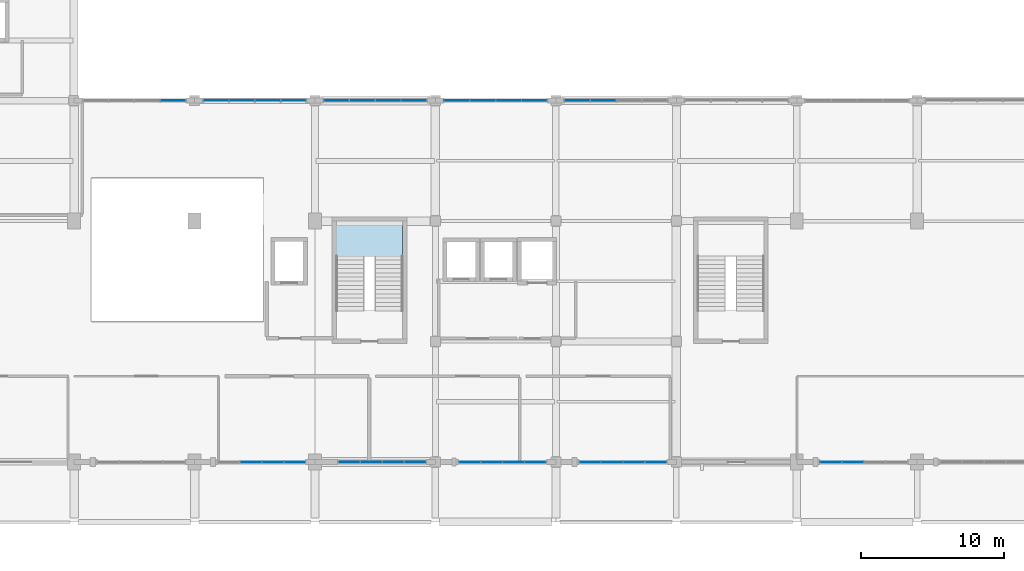
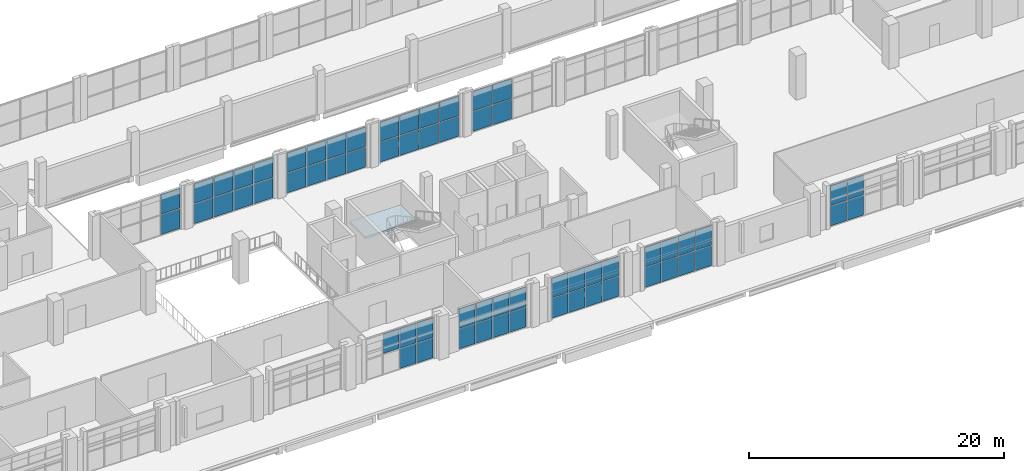
# One storey, part 41 of 59: 63 plates, 1 slab, 11 elements without a shape of their own.
"""IFC4 building model written with IfcOpenShell, lengths in metres."""

from ifc_helpers import new_model, si_unit, derived_unit, direction, frame, origin, origin_2d, place, context, subcontext, project, spatial, polyline, rectangle, outline, extrude, material, layer, layer_set, type_object, element, aggregate, save


model = new_model("IFC4")

# Units and contexts
model_context = context("Model", 3, precision=1e-05, world=origin(), true_north=direction((0.0, 1.0)))
body_context = subcontext(model_context, "Body", "Model", "MODEL_VIEW")
ifc_project = project(units=[si_unit("LENGTHUNIT", "METRE"), si_unit("AREAUNIT", "SQUARE_METRE"), si_unit("VOLUMEUNIT", "CUBIC_METRE"), si_unit("PLANEANGLEUNIT", "RADIAN"), si_unit("MASSUNIT", "GRAM", prefix="KILO"), derived_unit("THERMALTRANSMITTANCEUNIT", [(si_unit("POWERUNIT", "WATT"), 1), (si_unit("LENGTHUNIT", "METRE"), -2), (si_unit("THERMODYNAMICTEMPERATUREUNIT", "KELVIN"), -1)])], contexts=[model_context])

# Site, building, storey
site_placement = place(None, origin())
site = spatial("IfcSite", under=ifc_project, at=site_placement, CompositionType="ELEMENT")
building_placement = place(site_placement, origin())
building = spatial("IfcBuilding", under=site, at=building_placement, Name="Barrovel Congress Hotel", CompositionType="ELEMENT")
storey_placement = place(building_placement, frame((0.0, 0.0, 9.89990234375)))
storey = spatial("IfcBuildingStorey", under=building, at=storey_placement, Name="L02", CompositionType="ELEMENT", Elevation=9.89990234375)

# Curtain wall, plates
ifc_material_1 = material(Name="Anodised Aluminium Alloy 6063-T6", Category="aluminium")
curtain_wall_type = type_object("IfcCurtainWallType", Name="CW-ST-7200x3600", PredefinedType="USERDEFINED", material=ifc_material_1)
curtain_wall_1_placement = place(storey_placement, origin())
curtain_wall_1 = element("IfcCurtainWall", 1, at=curtain_wall_1_placement, inside=storey, type_object=curtain_wall_type, Name="CW:L02:S:08", ObjectType="STICK CURTAIN WALL", PredefinedType="USERDEFINED")
ifc_material_2 = material(Name="Double Low-E Insulated Glazing", Category="glass")
ifc_layer_1 = layer(ifc_material_2, 0.028076171875)
ifc_layer_set_1 = layer_set([ifc_layer_1], Name="Double Low-E Insulated Glazing")
plate_type_1 = type_object("IfcPlateType", Name="CWP-28", PredefinedType="CURTAIN_PANEL", material=ifc_layer_set_1)
plate_1_placement = place(storey_placement, frame((71.114990234375, 4.199951171875, 1.990234375), z_axis=(0.0, 0.0, 1.0), x_axis=(1.0, 0.0, 0.0)))
plate_1 = element("IfcPlate", 2, at=plate_1_placement, type_object=plate_type_1, Name="CW:L02:S:08:P1-1", PredefinedType="CURTAIN_PANEL", context=body_context, shape_type="SweptSolid", body=[
    extrude(rectangle(XDim=1.469970703125, YDim=0.028076171875, at=origin_2d()), origin(), (0.0, 0.0, 1.0), 1.89990234375),
])
plate_2_placement = place(storey_placement, frame((72.64501953125, 4.199951171875, 0.030029296875), z_axis=(0.0, 0.0, 1.0), x_axis=(1.0, 0.0, 0.0)))
plate_2 = element("IfcPlate", 3, at=plate_2_placement, type_object=plate_type_1, Name="CW:L02:S:08:P2-0", PredefinedType="CURTAIN_PANEL", context=body_context, shape_type="SweptSolid", body=[
    extrude(rectangle(XDim=1.469970703125, YDim=0.028076171875, at=origin_2d()), origin(), (0.0, 0.0, 1.0), 1.89990234375),
])
plate_3_placement = place(storey_placement, frame((72.64501953125, 4.199951171875, 1.990234375), z_axis=(0.0, 0.0, 1.0), x_axis=(1.0, 0.0, 0.0)))
plate_3 = element("IfcPlate", 4, at=plate_3_placement, type_object=plate_type_1, Name="CW:L02:S:08:P2-1", PredefinedType="CURTAIN_PANEL", context=body_context, shape_type="SweptSolid", body=[
    extrude(rectangle(XDim=1.469970703125, YDim=0.028076171875, at=origin_2d()), origin(), (0.0, 0.0, 1.0), 1.89990234375),
])
plate_4_placement = place(storey_placement, frame((74.175048828125, 4.199951171875, 0.030029296875), z_axis=(0.0, 0.0, 1.0), x_axis=(1.0, 0.0, 0.0)))
plate_4 = element("IfcPlate", 5, at=plate_4_placement, type_object=plate_type_1, Name="CW:L02:S:08:P3-0", PredefinedType="CURTAIN_PANEL", context=body_context, shape_type="SweptSolid", body=[
    extrude(rectangle(XDim=1.469970703125, YDim=0.028076171875, at=origin_2d()), origin(), (0.0, 0.0, 1.0), 1.89990234375),
])
plate_5_placement = place(storey_placement, frame((74.175048828125, 4.199951171875, 1.990234375), z_axis=(0.0, 0.0, 1.0), x_axis=(1.0, 0.0, 0.0)))
plate_5 = element("IfcPlate", 6, at=plate_5_placement, type_object=plate_type_1, Name="CW:L02:S:08:P3-1", PredefinedType="CURTAIN_PANEL", context=body_context, shape_type="SweptSolid", body=[
    extrude(rectangle(XDim=1.469970703125, YDim=0.028076171875, at=origin_2d()), origin(), (0.0, 0.0, 1.0), 1.89990234375),
])
aggregate(curtain_wall_1, [plate_1, plate_2, plate_3, plate_4, plate_5])

curtain_wall_2_placement = place(storey_placement, origin())
curtain_wall_2 = element("IfcCurtainWall", 7, at=curtain_wall_2_placement, inside=storey, type_object=curtain_wall_type, Name="CW:L02:S:10", ObjectType="STICK CURTAIN WALL", PredefinedType="USERDEFINED")
plate_6_placement = place(storey_placement, frame((86.385009765625, 4.199951171875, 0.030029296875), z_axis=(0.0, 0.0, 1.0), x_axis=(1.0, 0.0, 0.0)))
plate_6 = element("IfcPlate", 8, at=plate_6_placement, type_object=plate_type_1, Name="CW:L02:S:10:P0-0", PredefinedType="CURTAIN_PANEL", context=body_context, shape_type="SweptSolid", body=[
    extrude(rectangle(XDim=1.469970703125, YDim=0.028076171875, at=origin_2d()), origin(), (0.0, 0.0, 1.0), 1.89990234375),
])
plate_7_placement = place(storey_placement, frame((86.385009765625, 4.199951171875, 1.990234375), z_axis=(0.0, 0.0, 1.0), x_axis=(1.0, 0.0, 0.0)))
plate_7 = element("IfcPlate", 9, at=plate_7_placement, type_object=plate_type_1, Name="CW:L02:S:10:P0-1", PredefinedType="CURTAIN_PANEL", context=body_context, shape_type="SweptSolid", body=[
    extrude(rectangle(XDim=1.469970703125, YDim=0.028076171875, at=origin_2d()), origin(), (0.0, 0.0, 1.0), 1.89990234375),
])
plate_8_placement = place(storey_placement, frame((87.9150390625, 4.199951171875, 0.030029296875), z_axis=(0.0, 0.0, 1.0), x_axis=(1.0, 0.0, 0.0)))
plate_8 = element("IfcPlate", 10, at=plate_8_placement, type_object=plate_type_1, Name="CW:L02:S:10:P1-0", PredefinedType="CURTAIN_PANEL", context=body_context, shape_type="SweptSolid", body=[
    extrude(rectangle(XDim=1.469970703125, YDim=0.028076171875, at=origin_2d()), origin(), (0.0, 0.0, 1.0), 1.89990234375),
])
plate_9_placement = place(storey_placement, frame((87.9150390625, 4.199951171875, 1.990234375), z_axis=(0.0, 0.0, 1.0), x_axis=(1.0, 0.0, 0.0)))
plate_9 = element("IfcPlate", 11, at=plate_9_placement, type_object=plate_type_1, Name="CW:L02:S:10:P1-1", PredefinedType="CURTAIN_PANEL", context=body_context, shape_type="SweptSolid", body=[
    extrude(rectangle(XDim=1.469970703125, YDim=0.028076171875, at=origin_2d()), origin(), (0.0, 0.0, 1.0), 1.89990234375),
])
plate_10_placement = place(storey_placement, frame((89.445068359375, 4.199951171875, 0.030029296875), z_axis=(0.0, 0.0, 1.0), x_axis=(1.0, 0.0, 0.0)))
plate_10 = element("IfcPlate", 12, at=plate_10_placement, type_object=plate_type_1, Name="CW:L02:S:10:P2-0", PredefinedType="CURTAIN_PANEL", context=body_context, shape_type="SweptSolid", body=[
    extrude(rectangle(XDim=1.469970703125, YDim=0.028076171875, at=origin_2d()), origin(), (0.0, 0.0, 1.0), 1.89990234375),
])
plate_11_placement = place(storey_placement, frame((89.445068359375, 4.199951171875, 1.990234375), z_axis=(0.0, 0.0, 1.0), x_axis=(1.0, 0.0, 0.0)))
plate_11 = element("IfcPlate", 13, at=plate_11_placement, type_object=plate_type_1, Name="CW:L02:S:10:P2-1", PredefinedType="CURTAIN_PANEL", context=body_context, shape_type="SweptSolid", body=[
    extrude(rectangle(XDim=1.469970703125, YDim=0.028076171875, at=origin_2d()), origin(), (0.0, 0.0, 1.0), 1.89990234375),
])
plate_12_placement = place(storey_placement, frame((90.97509765625, 4.199951171875, 0.030029296875), z_axis=(0.0, 0.0, 1.0), x_axis=(1.0, 0.0, 0.0)))
plate_12 = element("IfcPlate", 14, at=plate_12_placement, type_object=plate_type_1, Name="CW:L02:S:10:P3-0", PredefinedType="CURTAIN_PANEL", context=body_context, shape_type="SweptSolid", body=[
    extrude(rectangle(XDim=1.469970703125, YDim=0.028076171875, at=origin_2d()), origin(), (0.0, 0.0, 1.0), 1.89990234375),
])
plate_13_placement = place(storey_placement, frame((90.97509765625, 4.199951171875, 1.990234375), z_axis=(0.0, 0.0, 1.0), x_axis=(1.0, 0.0, 0.0)))
plate_13 = element("IfcPlate", 15, at=plate_13_placement, type_object=plate_type_1, Name="CW:L02:S:10:P3-1", PredefinedType="CURTAIN_PANEL", context=body_context, shape_type="SweptSolid", body=[
    extrude(rectangle(XDim=1.469970703125, YDim=0.028076171875, at=origin_2d()), origin(), (0.0, 0.0, 1.0), 1.89990234375),
])
aggregate(curtain_wall_2, [plate_6, plate_7, plate_8, plate_9, plate_10, plate_11, plate_12, plate_13])

curtain_wall_3_placement = place(storey_placement, origin())
curtain_wall_3 = element("IfcCurtainWall", 16, at=curtain_wall_3_placement, inside=storey, type_object=curtain_wall_type, Name="CW:L02:S:13", ObjectType="STICK CURTAIN WALL", PredefinedType="USERDEFINED")
plate_14_placement = place(storey_placement, frame((111.5849609375, 4.199951171875, 0.030029296875), z_axis=(0.0, 0.0, 1.0), x_axis=(1.0, 0.0, 0.0)))
plate_14 = element("IfcPlate", 17, at=plate_14_placement, type_object=plate_type_1, Name="CW:L02:S:13:P0-0", PredefinedType="CURTAIN_PANEL", context=body_context, shape_type="SweptSolid", body=[
    extrude(rectangle(XDim=1.469970703125, YDim=0.028076171875, at=origin_2d()), origin(), (0.0, 0.0, 1.0), 1.89990234375),
])
plate_15_placement = place(storey_placement, frame((111.5849609375, 4.199951171875, 1.990234375), z_axis=(0.0, 0.0, 1.0), x_axis=(1.0, 0.0, 0.0)))
plate_15 = element("IfcPlate", 18, at=plate_15_placement, type_object=plate_type_1, Name="CW:L02:S:13:P0-1", PredefinedType="CURTAIN_PANEL", context=body_context, shape_type="SweptSolid", body=[
    extrude(rectangle(XDim=1.469970703125, YDim=0.028076171875, at=origin_2d()), origin(), (0.0, 0.0, 1.0), 1.89990234375),
])
plate_16_placement = place(storey_placement, frame((113.114990234375, 4.199951171875, 0.030029296875), z_axis=(0.0, 0.0, 1.0), x_axis=(1.0, 0.0, 0.0)))
plate_16 = element("IfcPlate", 19, at=plate_16_placement, type_object=plate_type_1, Name="CW:L02:S:13:P1-0", PredefinedType="CURTAIN_PANEL", context=body_context, shape_type="SweptSolid", body=[
    extrude(rectangle(XDim=1.469970703125, YDim=0.028076171875, at=origin_2d()), origin(), (0.0, 0.0, 1.0), 1.89990234375),
])
plate_17_placement = place(storey_placement, frame((113.114990234375, 4.199951171875, 1.990234375), z_axis=(0.0, 0.0, 1.0), x_axis=(1.0, 0.0, 0.0)))
plate_17 = element("IfcPlate", 20, at=plate_17_placement, type_object=plate_type_1, Name="CW:L02:S:13:P1-1", PredefinedType="CURTAIN_PANEL", context=body_context, shape_type="SweptSolid", body=[
    extrude(rectangle(XDim=1.469970703125, YDim=0.028076171875, at=origin_2d()), origin(), (0.0, 0.0, 1.0), 1.89990234375),
])
aggregate(curtain_wall_3, [plate_14, plate_15, plate_16, plate_17])

curtain_wall_4_placement = place(storey_placement, origin())
curtain_wall_4 = element("IfcCurtainWall", 21, at=curtain_wall_4_placement, inside=storey, type_object=curtain_wall_type, Name="CW:L02:CS:10", ObjectType="STICK CURTAIN WALL", PredefinedType="USERDEFINED")
plate_18_placement = place(storey_placement, frame((90.89990234375, 29.39990234375, 0.030029296875), z_axis=(0.0, 0.0, 1.0), x_axis=(-1.0, 0.0, 0.0)))
plate_18 = element("IfcPlate", 22, at=plate_18_placement, type_object=plate_type_1, Name="CW:L02:CS:10:P0-0", PredefinedType="CURTAIN_PANEL", context=body_context, shape_type="SweptSolid", body=[
    extrude(rectangle(XDim=1.739990234375, YDim=0.028076171875, at=origin_2d()), origin(), (0.0, 0.0, 1.0), 1.89990234375),
])
plate_19_placement = place(storey_placement, frame((90.89990234375, 29.39990234375, 1.990234375), z_axis=(0.0, 0.0, 1.0), x_axis=(-1.0, 0.0, 0.0)))
plate_19 = element("IfcPlate", 23, at=plate_19_placement, type_object=plate_type_1, Name="CW:L02:CS:10:P0-1", PredefinedType="CURTAIN_PANEL", context=body_context, shape_type="SweptSolid", body=[
    extrude(rectangle(XDim=1.739990234375, YDim=0.028076171875, at=origin_2d()), origin(), (0.0, 0.0, 1.0), 1.89990234375),
])
plate_20_placement = place(storey_placement, frame((89.10009765625, 29.39990234375, 0.030029296875), z_axis=(0.0, 0.0, 1.0), x_axis=(-1.0, 0.0, 0.0)))
plate_20 = element("IfcPlate", 24, at=plate_20_placement, type_object=plate_type_1, Name="CW:L02:CS:10:P1-0", PredefinedType="CURTAIN_PANEL", context=body_context, shape_type="SweptSolid", body=[
    extrude(rectangle(XDim=1.739990234375, YDim=0.028076171875, at=origin_2d()), origin(), (0.0, 0.0, 1.0), 1.89990234375),
])
plate_21_placement = place(storey_placement, frame((89.10009765625, 29.39990234375, 1.990234375), z_axis=(0.0, 0.0, 1.0), x_axis=(-1.0, 0.0, 0.0)))
plate_21 = element("IfcPlate", 25, at=plate_21_placement, type_object=plate_type_1, Name="CW:L02:CS:10:P1-1", PredefinedType="CURTAIN_PANEL", context=body_context, shape_type="SweptSolid", body=[
    extrude(rectangle(XDim=1.739990234375, YDim=0.028076171875, at=origin_2d()), origin(), (0.0, 0.0, 1.0), 1.89990234375),
])
plate_22_placement = place(storey_placement, frame((87.300048828125, 29.39990234375, 0.030029296875), z_axis=(0.0, 0.0, 1.0), x_axis=(-1.0, 0.0, 0.0)))
plate_22 = element("IfcPlate", 26, at=plate_22_placement, type_object=plate_type_1, Name="CW:L02:CS:10:P2-0", PredefinedType="CURTAIN_PANEL", context=body_context, shape_type="SweptSolid", body=[
    extrude(rectangle(XDim=1.739990234375, YDim=0.028076171875, at=origin_2d()), origin(), (0.0, 0.0, 1.0), 1.89990234375),
])
plate_23_placement = place(storey_placement, frame((87.300048828125, 29.39990234375, 1.990234375), z_axis=(0.0, 0.0, 1.0), x_axis=(-1.0, 0.0, 0.0)))
plate_23 = element("IfcPlate", 27, at=plate_23_placement, type_object=plate_type_1, Name="CW:L02:CS:10:P2-1", PredefinedType="CURTAIN_PANEL", context=body_context, shape_type="SweptSolid", body=[
    extrude(rectangle(XDim=1.739990234375, YDim=0.028076171875, at=origin_2d()), origin(), (0.0, 0.0, 1.0), 1.89990234375),
])
plate_24_placement = place(storey_placement, frame((85.5, 29.39990234375, 0.030029296875), z_axis=(0.0, 0.0, 1.0), x_axis=(-1.0, 0.0, 0.0)))
plate_24 = element("IfcPlate", 28, at=plate_24_placement, type_object=plate_type_1, Name="CW:L02:CS:10:P3-0", PredefinedType="CURTAIN_PANEL", context=body_context, shape_type="SweptSolid", body=[
    extrude(rectangle(XDim=1.739990234375, YDim=0.028076171875, at=origin_2d()), origin(), (0.0, 0.0, 1.0), 1.89990234375),
])
plate_25_placement = place(storey_placement, frame((85.5, 29.39990234375, 1.990234375), z_axis=(0.0, 0.0, 1.0), x_axis=(-1.0, 0.0, 0.0)))
plate_25 = element("IfcPlate", 29, at=plate_25_placement, type_object=plate_type_1, Name="CW:L02:CS:10:P3-1", PredefinedType="CURTAIN_PANEL", context=body_context, shape_type="SweptSolid", body=[
    extrude(rectangle(XDim=1.739990234375, YDim=0.028076171875, at=origin_2d()), origin(), (0.0, 0.0, 1.0), 1.89990234375),
])
aggregate(curtain_wall_4, [plate_18, plate_19, plate_20, plate_21, plate_22, plate_23, plate_24, plate_25])

curtain_wall_5_placement = place(storey_placement, origin())
curtain_wall_5 = element("IfcCurtainWall", 30, at=curtain_wall_5_placement, inside=storey, type_object=curtain_wall_type, Name="CW:L02:CS:08", ObjectType="STICK CURTAIN WALL", PredefinedType="USERDEFINED")
plate_26_placement = place(storey_placement, frame((74.10009765625, 29.39990234375, 0.030029296875), z_axis=(0.0, 0.0, 1.0), x_axis=(-1.0, 0.0, 0.0)))
plate_26 = element("IfcPlate", 31, at=plate_26_placement, type_object=plate_type_1, Name="CW:L02:CS:08:P0-0", PredefinedType="CURTAIN_PANEL", context=body_context, shape_type="SweptSolid", body=[
    extrude(rectangle(XDim=1.739990234375, YDim=0.028076171875, at=origin_2d()), origin(), (0.0, 0.0, 1.0), 1.89990234375),
])
plate_27_placement = place(storey_placement, frame((74.10009765625, 29.39990234375, 1.990234375), z_axis=(0.0, 0.0, 1.0), x_axis=(-1.0, 0.0, 0.0)))
plate_27 = element("IfcPlate", 32, at=plate_27_placement, type_object=plate_type_1, Name="CW:L02:CS:08:P0-1", PredefinedType="CURTAIN_PANEL", context=body_context, shape_type="SweptSolid", body=[
    extrude(rectangle(XDim=1.739990234375, YDim=0.028076171875, at=origin_2d()), origin(), (0.0, 0.0, 1.0), 1.89990234375),
])
plate_28_placement = place(storey_placement, frame((72.300048828125, 29.39990234375, 0.030029296875), z_axis=(0.0, 0.0, 1.0), x_axis=(-1.0, 0.0, 0.0)))
plate_28 = element("IfcPlate", 33, at=plate_28_placement, type_object=plate_type_1, Name="CW:L02:CS:08:P1-0", PredefinedType="CURTAIN_PANEL", context=body_context, shape_type="SweptSolid", body=[
    extrude(rectangle(XDim=1.739990234375, YDim=0.028076171875, at=origin_2d()), origin(), (0.0, 0.0, 1.0), 1.89990234375),
])
plate_29_placement = place(storey_placement, frame((72.300048828125, 29.39990234375, 1.990234375), z_axis=(0.0, 0.0, 1.0), x_axis=(-1.0, 0.0, 0.0)))
plate_29 = element("IfcPlate", 34, at=plate_29_placement, type_object=plate_type_1, Name="CW:L02:CS:08:P1-1", PredefinedType="CURTAIN_PANEL", context=body_context, shape_type="SweptSolid", body=[
    extrude(rectangle(XDim=1.739990234375, YDim=0.028076171875, at=origin_2d()), origin(), (0.0, 0.0, 1.0), 1.89990234375),
])
plate_30_placement = place(storey_placement, frame((70.5, 29.39990234375, 0.030029296875), z_axis=(0.0, 0.0, 1.0), x_axis=(-1.0, 0.0, 0.0)))
plate_30 = element("IfcPlate", 35, at=plate_30_placement, type_object=plate_type_1, Name="CW:L02:CS:08:P2-0", PredefinedType="CURTAIN_PANEL", context=body_context, shape_type="SweptSolid", body=[
    extrude(rectangle(XDim=1.739990234375, YDim=0.028076171875, at=origin_2d()), origin(), (0.0, 0.0, 1.0), 1.89990234375),
])
plate_31_placement = place(storey_placement, frame((70.5, 29.39990234375, 1.990234375), z_axis=(0.0, 0.0, 1.0), x_axis=(-1.0, 0.0, 0.0)))
plate_31 = element("IfcPlate", 36, at=plate_31_placement, type_object=plate_type_1, Name="CW:L02:CS:08:P2-1", PredefinedType="CURTAIN_PANEL", context=body_context, shape_type="SweptSolid", body=[
    extrude(rectangle(XDim=1.739990234375, YDim=0.028076171875, at=origin_2d()), origin(), (0.0, 0.0, 1.0), 1.89990234375),
])
plate_32_placement = place(storey_placement, frame((68.699951171875, 29.39990234375, 0.030029296875), z_axis=(0.0, 0.0, 1.0), x_axis=(-1.0, 0.0, 0.0)))
plate_32 = element("IfcPlate", 37, at=plate_32_placement, type_object=plate_type_1, Name="CW:L02:CS:08:P3-0", PredefinedType="CURTAIN_PANEL", context=body_context, shape_type="SweptSolid", body=[
    extrude(rectangle(XDim=1.739990234375, YDim=0.028076171875, at=origin_2d()), origin(), (0.0, 0.0, 1.0), 1.89990234375),
])
plate_33_placement = place(storey_placement, frame((68.699951171875, 29.39990234375, 1.990234375), z_axis=(0.0, 0.0, 1.0), x_axis=(-1.0, 0.0, 0.0)))
plate_33 = element("IfcPlate", 38, at=plate_33_placement, type_object=plate_type_1, Name="CW:L02:CS:08:P3-1", PredefinedType="CURTAIN_PANEL", context=body_context, shape_type="SweptSolid", body=[
    extrude(rectangle(XDim=1.739990234375, YDim=0.028076171875, at=origin_2d()), origin(), (0.0, 0.0, 1.0), 1.89990234375),
])
aggregate(curtain_wall_5, [plate_26, plate_27, plate_28, plate_29, plate_30, plate_31, plate_32, plate_33])

curtain_wall_6_placement = place(storey_placement, origin())
curtain_wall_6 = element("IfcCurtainWall", 39, at=curtain_wall_6_placement, inside=storey, type_object=curtain_wall_type, Name="CW:L02:S:09", ObjectType="STICK CURTAIN WALL", PredefinedType="USERDEFINED")
ifc_layer_2 = layer(ifc_material_2, 0.031982421875)
ifc_layer_set_2 = layer_set([ifc_layer_2], Name="Double Low-E Insulated Glazing")
plate_type_2 = type_object("IfcPlateType", Name="CWP-32", PredefinedType="CURTAIN_PANEL", material=ifc_layer_set_2)
plate_34_placement = place(storey_placement, frame((77.985107421875, 4.199951171875, 0.030029296875), z_axis=(0.0, 0.0, 1.0), x_axis=(1.0, 0.0, 0.0)))
plate_34 = element("IfcPlate", 40, at=plate_34_placement, type_object=plate_type_2, Name="CW:L02:S:09:P0-0", PredefinedType="CURTAIN_PANEL", context=body_context, shape_type="SweptSolid", body=[
    extrude(rectangle(XDim=1.469970703125, YDim=0.031982421875, at=origin_2d()), origin(), (0.0, 0.0, 1.0), 1.89990234375),
])
plate_35_placement = place(storey_placement, frame((77.985107421875, 4.199951171875, 1.990234375), z_axis=(0.0, 0.0, 1.0), x_axis=(1.0, 0.0, 0.0)))
plate_35 = element("IfcPlate", 41, at=plate_35_placement, type_object=plate_type_2, Name="CW:L02:S:09:P0-1", PredefinedType="CURTAIN_PANEL", context=body_context, shape_type="SweptSolid", body=[
    extrude(rectangle(XDim=1.469970703125, YDim=0.031982421875, at=origin_2d()), origin(), (0.0, 0.0, 1.0), 1.89990234375),
])
plate_36_placement = place(storey_placement, frame((79.514892578125, 4.199951171875, 0.030029296875), z_axis=(0.0, 0.0, 1.0), x_axis=(1.0, 0.0, 0.0)))
plate_36 = element("IfcPlate", 42, at=plate_36_placement, type_object=plate_type_2, Name="CW:L02:S:09:P1-0", PredefinedType="CURTAIN_PANEL", context=body_context, shape_type="SweptSolid", body=[
    extrude(rectangle(XDim=1.469970703125, YDim=0.031982421875, at=origin_2d()), origin(), (0.0, 0.0, 1.0), 1.89990234375),
])
plate_37_placement = place(storey_placement, frame((79.514892578125, 4.199951171875, 1.990234375), z_axis=(0.0, 0.0, 1.0), x_axis=(1.0, 0.0, 0.0)))
plate_37 = element("IfcPlate", 43, at=plate_37_placement, type_object=plate_type_2, Name="CW:L02:S:09:P1-1", PredefinedType="CURTAIN_PANEL", context=body_context, shape_type="SweptSolid", body=[
    extrude(rectangle(XDim=1.469970703125, YDim=0.031982421875, at=origin_2d()), origin(), (0.0, 0.0, 1.0), 1.89990234375),
])
plate_38_placement = place(storey_placement, frame((81.044921875, 4.199951171875, 0.030029296875), z_axis=(0.0, 0.0, 1.0), x_axis=(1.0, 0.0, 0.0)))
plate_38 = element("IfcPlate", 44, at=plate_38_placement, type_object=plate_type_2, Name="CW:L02:S:09:P2-0", PredefinedType="CURTAIN_PANEL", context=body_context, shape_type="SweptSolid", body=[
    extrude(rectangle(XDim=1.469970703125, YDim=0.031982421875, at=origin_2d()), origin(), (0.0, 0.0, 1.0), 1.89990234375),
])
plate_39_placement = place(storey_placement, frame((81.044921875, 4.199951171875, 1.990234375), z_axis=(0.0, 0.0, 1.0), x_axis=(1.0, 0.0, 0.0)))
plate_39 = element("IfcPlate", 45, at=plate_39_placement, type_object=plate_type_2, Name="CW:L02:S:09:P2-1", PredefinedType="CURTAIN_PANEL", context=body_context, shape_type="SweptSolid", body=[
    extrude(rectangle(XDim=1.469970703125, YDim=0.031982421875, at=origin_2d()), origin(), (0.0, 0.0, 1.0), 1.89990234375),
])
plate_40_placement = place(storey_placement, frame((82.574951171875, 4.199951171875, 0.030029296875), z_axis=(0.0, 0.0, 1.0), x_axis=(1.0, 0.0, 0.0)))
plate_40 = element("IfcPlate", 46, at=plate_40_placement, type_object=plate_type_2, Name="CW:L02:S:09:P3-0", PredefinedType="CURTAIN_PANEL", context=body_context, shape_type="SweptSolid", body=[
    extrude(rectangle(XDim=1.469970703125, YDim=0.031982421875, at=origin_2d()), origin(), (0.0, 0.0, 1.0), 1.89990234375),
])
plate_41_placement = place(storey_placement, frame((82.574951171875, 4.199951171875, 1.990234375), z_axis=(0.0, 0.0, 1.0), x_axis=(1.0, 0.0, 0.0)))
plate_41 = element("IfcPlate", 47, at=plate_41_placement, type_object=plate_type_2, Name="CW:L02:S:09:P3-1", PredefinedType="CURTAIN_PANEL", context=body_context, shape_type="SweptSolid", body=[
    extrude(rectangle(XDim=1.469970703125, YDim=0.031982421875, at=origin_2d()), origin(), (0.0, 0.0, 1.0), 1.89990234375),
])
aggregate(curtain_wall_6, [plate_34, plate_35, plate_36, plate_37, plate_38, plate_39, plate_40, plate_41])

curtain_wall_7_placement = place(storey_placement, origin())
curtain_wall_7 = element("IfcCurtainWall", 48, at=curtain_wall_7_placement, inside=storey, type_object=curtain_wall_type, Name="CW:L02:S:11", ObjectType="STICK CURTAIN WALL", PredefinedType="USERDEFINED")
plate_42_placement = place(storey_placement, frame((94.784912109375, 4.199951171875, 0.030029296875), z_axis=(0.0, 0.0, 1.0), x_axis=(1.0, 0.0, 0.0)))
plate_42 = element("IfcPlate", 49, at=plate_42_placement, type_object=plate_type_2, Name="CW:L02:S:11:P0-0", PredefinedType="CURTAIN_PANEL", context=body_context, shape_type="SweptSolid", body=[
    extrude(rectangle(XDim=1.469970703125, YDim=0.031982421875, at=origin_2d()), origin(), (0.0, 0.0, 1.0), 1.89990234375),
])
plate_43_placement = place(storey_placement, frame((94.784912109375, 4.199951171875, 1.990234375), z_axis=(0.0, 0.0, 1.0), x_axis=(1.0, 0.0, 0.0)))
plate_43 = element("IfcPlate", 50, at=plate_43_placement, type_object=plate_type_2, Name="CW:L02:S:11:P0-1", PredefinedType="CURTAIN_PANEL", context=body_context, shape_type="SweptSolid", body=[
    extrude(rectangle(XDim=1.469970703125, YDim=0.031982421875, at=origin_2d()), origin(), (0.0, 0.0, 1.0), 1.89990234375),
])
plate_44_placement = place(storey_placement, frame((96.31494140625, 4.199951171875, 0.030029296875), z_axis=(0.0, 0.0, 1.0), x_axis=(1.0, 0.0, 0.0)))
plate_44 = element("IfcPlate", 51, at=plate_44_placement, type_object=plate_type_2, Name="CW:L02:S:11:P1-0", PredefinedType="CURTAIN_PANEL", context=body_context, shape_type="SweptSolid", body=[
    extrude(rectangle(XDim=1.469970703125, YDim=0.031982421875, at=origin_2d()), origin(), (0.0, 0.0, 1.0), 1.89990234375),
])
plate_45_placement = place(storey_placement, frame((96.31494140625, 4.199951171875, 1.990234375), z_axis=(0.0, 0.0, 1.0), x_axis=(1.0, 0.0, 0.0)))
plate_45 = element("IfcPlate", 52, at=plate_45_placement, type_object=plate_type_2, Name="CW:L02:S:11:P1-1", PredefinedType="CURTAIN_PANEL", context=body_context, shape_type="SweptSolid", body=[
    extrude(rectangle(XDim=1.469970703125, YDim=0.031982421875, at=origin_2d()), origin(), (0.0, 0.0, 1.0), 1.89990234375),
])
plate_46_placement = place(storey_placement, frame((97.844970703125, 4.199951171875, 0.030029296875), z_axis=(0.0, 0.0, 1.0), x_axis=(1.0, 0.0, 0.0)))
plate_46 = element("IfcPlate", 53, at=plate_46_placement, type_object=plate_type_2, Name="CW:L02:S:11:P2-0", PredefinedType="CURTAIN_PANEL", context=body_context, shape_type="SweptSolid", body=[
    extrude(rectangle(XDim=1.469970703125, YDim=0.031982421875, at=origin_2d()), origin(), (0.0, 0.0, 1.0), 1.89990234375),
])
plate_47_placement = place(storey_placement, frame((97.844970703125, 4.199951171875, 1.990234375), z_axis=(0.0, 0.0, 1.0), x_axis=(1.0, 0.0, 0.0)))
plate_47 = element("IfcPlate", 54, at=plate_47_placement, type_object=plate_type_2, Name="CW:L02:S:11:P2-1", PredefinedType="CURTAIN_PANEL", context=body_context, shape_type="SweptSolid", body=[
    extrude(rectangle(XDim=1.469970703125, YDim=0.031982421875, at=origin_2d()), origin(), (0.0, 0.0, 1.0), 1.89990234375),
])
plate_48_placement = place(storey_placement, frame((99.375, 4.199951171875, 0.030029296875), z_axis=(0.0, 0.0, 1.0), x_axis=(1.0, 0.0, 0.0)))
plate_48 = element("IfcPlate", 55, at=plate_48_placement, type_object=plate_type_2, Name="CW:L02:S:11:P3-0", PredefinedType="CURTAIN_PANEL", context=body_context, shape_type="SweptSolid", body=[
    extrude(rectangle(XDim=1.469970703125, YDim=0.031982421875, at=origin_2d()), origin(), (0.0, 0.0, 1.0), 1.89990234375),
])
plate_49_placement = place(storey_placement, frame((99.375, 4.199951171875, 1.990234375), z_axis=(0.0, 0.0, 1.0), x_axis=(1.0, 0.0, 0.0)))
plate_49 = element("IfcPlate", 56, at=plate_49_placement, type_object=plate_type_2, Name="CW:L02:S:11:P3-1", PredefinedType="CURTAIN_PANEL", context=body_context, shape_type="SweptSolid", body=[
    extrude(rectangle(XDim=1.469970703125, YDim=0.031982421875, at=origin_2d()), origin(), (0.0, 0.0, 1.0), 1.89990234375),
])
aggregate(curtain_wall_7, [plate_42, plate_43, plate_44, plate_45, plate_46, plate_47, plate_48, plate_49])

curtain_wall_8_placement = place(storey_placement, origin())
curtain_wall_8 = element("IfcCurtainWall", 57, at=curtain_wall_8_placement, inside=storey, type_object=curtain_wall_type, Name="CW:L02:CS:11", ObjectType="STICK CURTAIN WALL", PredefinedType="USERDEFINED")
plate_50_placement = place(storey_placement, frame((95.699951171875, 29.39990234375, 0.030029296875), z_axis=(0.0, 0.0, 1.0), x_axis=(-1.0, 0.0, 0.0)))
plate_50 = element("IfcPlate", 58, at=plate_50_placement, type_object=plate_type_2, Name="CW:L02:CS:11:P2-0", PredefinedType="CURTAIN_PANEL", context=body_context, shape_type="SweptSolid", body=[
    extrude(rectangle(XDim=1.739990234375, YDim=0.031982421875, at=origin_2d()), origin(), (0.0, 0.0, 1.0), 1.89990234375),
])
plate_51_placement = place(storey_placement, frame((95.699951171875, 29.39990234375, 1.990234375), z_axis=(0.0, 0.0, 1.0), x_axis=(-1.0, 0.0, 0.0)))
plate_51 = element("IfcPlate", 59, at=plate_51_placement, type_object=plate_type_2, Name="CW:L02:CS:11:P2-1", PredefinedType="CURTAIN_PANEL", context=body_context, shape_type="SweptSolid", body=[
    extrude(rectangle(XDim=1.739990234375, YDim=0.031982421875, at=origin_2d()), origin(), (0.0, 0.0, 1.0), 1.89990234375),
])
plate_52_placement = place(storey_placement, frame((93.89990234375, 29.39990234375, 0.030029296875), z_axis=(0.0, 0.0, 1.0), x_axis=(-1.0, 0.0, 0.0)))
plate_52 = element("IfcPlate", 60, at=plate_52_placement, type_object=plate_type_2, Name="CW:L02:CS:11:P3-0", PredefinedType="CURTAIN_PANEL", context=body_context, shape_type="SweptSolid", body=[
    extrude(rectangle(XDim=1.739990234375, YDim=0.031982421875, at=origin_2d()), origin(), (0.0, 0.0, 1.0), 1.89990234375),
])
plate_53_placement = place(storey_placement, frame((93.89990234375, 29.39990234375, 1.990234375), z_axis=(0.0, 0.0, 1.0), x_axis=(-1.0, 0.0, 0.0)))
plate_53 = element("IfcPlate", 61, at=plate_53_placement, type_object=plate_type_2, Name="CW:L02:CS:11:P3-1", PredefinedType="CURTAIN_PANEL", context=body_context, shape_type="SweptSolid", body=[
    extrude(rectangle(XDim=1.739990234375, YDim=0.031982421875, at=origin_2d()), origin(), (0.0, 0.0, 1.0), 1.89990234375),
])
aggregate(curtain_wall_8, [plate_50, plate_51, plate_52, plate_53])

curtain_wall_9_placement = place(storey_placement, origin())
curtain_wall_9 = element("IfcCurtainWall", 62, at=curtain_wall_9_placement, inside=storey, type_object=curtain_wall_type, Name="CW:L02:CS:09", ObjectType="STICK CURTAIN WALL", PredefinedType="USERDEFINED")
plate_54_placement = place(storey_placement, frame((82.5, 29.39990234375, 0.030029296875), z_axis=(0.0, 0.0, 1.0), x_axis=(-1.0, 0.0, 0.0)))
plate_54 = element("IfcPlate", 63, at=plate_54_placement, type_object=plate_type_2, Name="CW:L02:CS:09:P0-0", PredefinedType="CURTAIN_PANEL", context=body_context, shape_type="SweptSolid", body=[
    extrude(rectangle(XDim=1.739990234375, YDim=0.031982421875, at=origin_2d()), origin(), (0.0, 0.0, 1.0), 1.89990234375),
])
plate_55_placement = place(storey_placement, frame((82.5, 29.39990234375, 1.990234375), z_axis=(0.0, 0.0, 1.0), x_axis=(-1.0, 0.0, 0.0)))
plate_55 = element("IfcPlate", 64, at=plate_55_placement, type_object=plate_type_2, Name="CW:L02:CS:09:P0-1", PredefinedType="CURTAIN_PANEL", context=body_context, shape_type="SweptSolid", body=[
    extrude(rectangle(XDim=1.739990234375, YDim=0.031982421875, at=origin_2d()), origin(), (0.0, 0.0, 1.0), 1.89990234375),
])
plate_56_placement = place(storey_placement, frame((80.699951171875, 29.39990234375, 0.030029296875), z_axis=(0.0, 0.0, 1.0), x_axis=(-1.0, 0.0, 0.0)))
plate_56 = element("IfcPlate", 65, at=plate_56_placement, type_object=plate_type_2, Name="CW:L02:CS:09:P1-0", PredefinedType="CURTAIN_PANEL", context=body_context, shape_type="SweptSolid", body=[
    extrude(rectangle(XDim=1.739990234375, YDim=0.031982421875, at=origin_2d()), origin(), (0.0, 0.0, 1.0), 1.89990234375),
])
plate_57_placement = place(storey_placement, frame((80.699951171875, 29.39990234375, 1.990234375), z_axis=(0.0, 0.0, 1.0), x_axis=(-1.0, 0.0, 0.0)))
plate_57 = element("IfcPlate", 66, at=plate_57_placement, type_object=plate_type_2, Name="CW:L02:CS:09:P1-1", PredefinedType="CURTAIN_PANEL", context=body_context, shape_type="SweptSolid", body=[
    extrude(rectangle(XDim=1.739990234375, YDim=0.031982421875, at=origin_2d()), origin(), (0.0, 0.0, 1.0), 1.89990234375),
])
plate_58_placement = place(storey_placement, frame((78.89990234375, 29.39990234375, 0.030029296875), z_axis=(0.0, 0.0, 1.0), x_axis=(-1.0, 0.0, 0.0)))
plate_58 = element("IfcPlate", 67, at=plate_58_placement, type_object=plate_type_2, Name="CW:L02:CS:09:P2-0", PredefinedType="CURTAIN_PANEL", context=body_context, shape_type="SweptSolid", body=[
    extrude(rectangle(XDim=1.739990234375, YDim=0.031982421875, at=origin_2d()), origin(), (0.0, 0.0, 1.0), 1.89990234375),
])
plate_59_placement = place(storey_placement, frame((78.89990234375, 29.39990234375, 1.990234375), z_axis=(0.0, 0.0, 1.0), x_axis=(-1.0, 0.0, 0.0)))
plate_59 = element("IfcPlate", 68, at=plate_59_placement, type_object=plate_type_2, Name="CW:L02:CS:09:P2-1", PredefinedType="CURTAIN_PANEL", context=body_context, shape_type="SweptSolid", body=[
    extrude(rectangle(XDim=1.739990234375, YDim=0.031982421875, at=origin_2d()), origin(), (0.0, 0.0, 1.0), 1.89990234375),
])
plate_60_placement = place(storey_placement, frame((77.10009765625, 29.39990234375, 0.030029296875), z_axis=(0.0, 0.0, 1.0), x_axis=(-1.0, 0.0, 0.0)))
plate_60 = element("IfcPlate", 69, at=plate_60_placement, type_object=plate_type_2, Name="CW:L02:CS:09:P3-0", PredefinedType="CURTAIN_PANEL", context=body_context, shape_type="SweptSolid", body=[
    extrude(rectangle(XDim=1.739990234375, YDim=0.031982421875, at=origin_2d()), origin(), (0.0, 0.0, 1.0), 1.89990234375),
])
plate_61_placement = place(storey_placement, frame((77.10009765625, 29.39990234375, 1.990234375), z_axis=(0.0, 0.0, 1.0), x_axis=(-1.0, 0.0, 0.0)))
plate_61 = element("IfcPlate", 70, at=plate_61_placement, type_object=plate_type_2, Name="CW:L02:CS:09:P3-1", PredefinedType="CURTAIN_PANEL", context=body_context, shape_type="SweptSolid", body=[
    extrude(rectangle(XDim=1.739990234375, YDim=0.031982421875, at=origin_2d()), origin(), (0.0, 0.0, 1.0), 1.89990234375),
])
aggregate(curtain_wall_9, [plate_54, plate_55, plate_56, plate_57, plate_58, plate_59, plate_60, plate_61])

curtain_wall_10_placement = place(storey_placement, origin())
curtain_wall_10 = element("IfcCurtainWall", 71, at=curtain_wall_10_placement, inside=storey, type_object=curtain_wall_type, Name="CW:L02:CS:07", ObjectType="STICK CURTAIN WALL", PredefinedType="USERDEFINED")
plate_62_placement = place(storey_placement, frame((65.699951171875, 29.39990234375, 0.030029296875), z_axis=(0.0, 0.0, 1.0), x_axis=(-1.0, 0.0, 0.0)))
plate_62 = element("IfcPlate", 72, at=plate_62_placement, type_object=plate_type_2, Name="CW:L02:CS:07:P0-0", PredefinedType="CURTAIN_PANEL", context=body_context, shape_type="SweptSolid", body=[
    extrude(rectangle(XDim=1.739990234375, YDim=0.031982421875, at=origin_2d()), origin(), (0.0, 0.0, 1.0), 1.89990234375),
])
plate_63_placement = place(storey_placement, frame((65.699951171875, 29.39990234375, 1.990234375), z_axis=(0.0, 0.0, 1.0), x_axis=(-1.0, 0.0, 0.0)))
plate_63 = element("IfcPlate", 73, at=plate_63_placement, type_object=plate_type_2, Name="CW:L02:CS:07:P0-1", PredefinedType="CURTAIN_PANEL", context=body_context, shape_type="SweptSolid", body=[
    extrude(rectangle(XDim=1.739990234375, YDim=0.031982421875, at=origin_2d()), origin(), (0.0, 0.0, 1.0), 1.89990234375),
])
aggregate(curtain_wall_10, [plate_62, plate_63])

# Stair, slab
ifc_material_3 = material(Name="Concrete C40", Category="concrete")
stair_type = type_object("IfcStairType", Name="STR-HT-420", PredefinedType="HALF_TURN_STAIR", material=ifc_material_3)
stair_placement = place(storey_placement, origin())
stair = element("IfcStair", 74, at=stair_placement, inside=storey, type_object=stair_type, Name="Exit Stair XS-02 (L02)", PredefinedType="HALF_TURN_STAIR")
ifc_layer_3 = layer(ifc_material_3, 0.2099609375)
ifc_layer_set_3 = layer_set([ifc_layer_3], Name="Concrete C40")
slab_type = type_object("IfcSlabType", Name="SL-LDG-210", PredefinedType="LANDING", material=ifc_layer_set_3)
slab_placement = place(storey_placement, frame((0.0, 0.0, 1.89013671875)))
slab = element("IfcSlab", 75, at=slab_placement, type_object=slab_type, Name="STAIR:XS-02:L02:LDG", PredefinedType="LANDING", context=body_context, shape_type="SweptSolid", body=[
    extrude(outline(polyline([(77.080078125, 18.544921875), (81.719970703125, 18.544921875), (81.719970703125, 21.02001953125), (77.080078125, 21.02001953125), (77.080078125, 18.544921875)])), origin(), (0.0, 0.0, 1.0), 0.2099609375),
])
aggregate(stair, [slab])

save(model, "model.ifc")
